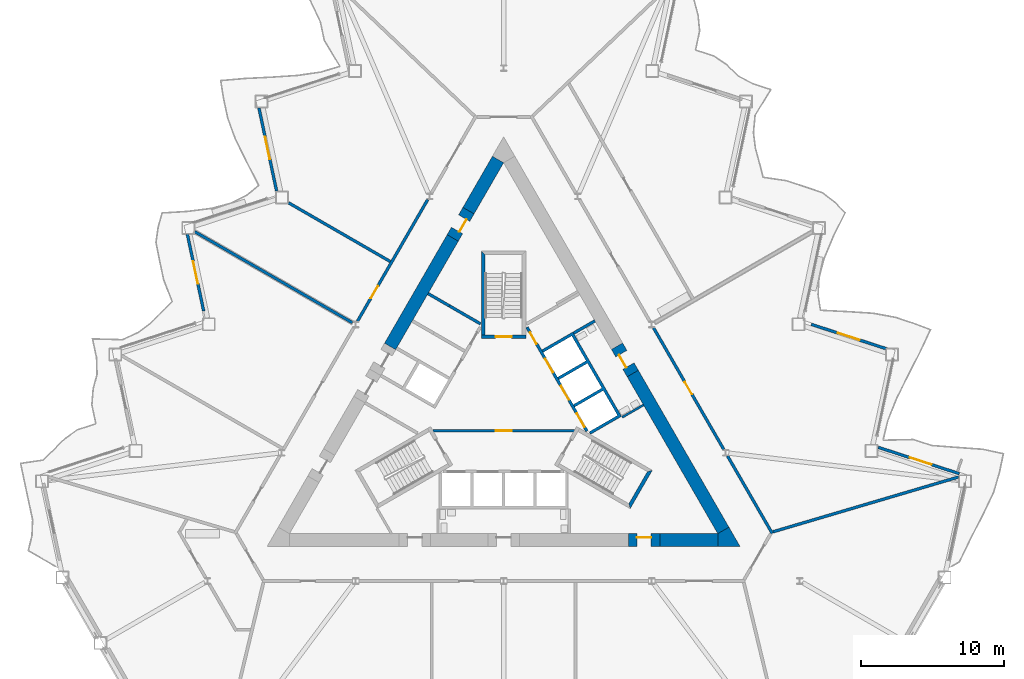
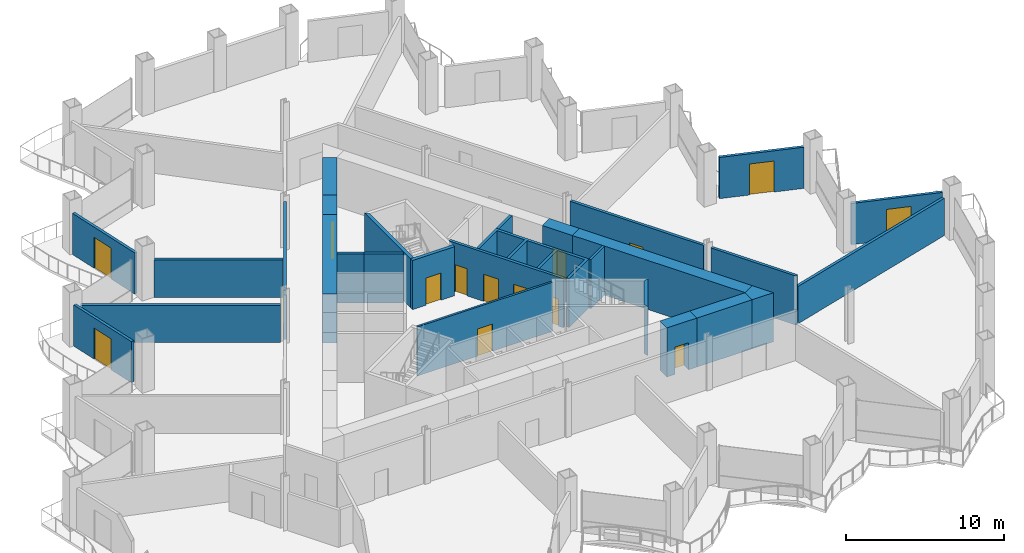
# One storey, part 12 of 21: 28 walls, 15 doors, 15 openings.
"""IFC4 building model written with IfcOpenShell, lengths in metres."""

from ifc_helpers import new_model, si_unit, direction, frame, frame_2d, origin, place, context, subcontext, project, spatial, polyline, rectangle, outline, extrude, material, layer, layer_set, type_object, element, fill, save


model = new_model("IFC4")

# Units and contexts
model_context = context("Model", 3, precision=1e-05, world=origin(), true_north=direction((0.0, 1.0)))
body_context = subcontext(model_context, "Body", "Model", "MODEL_VIEW")
ifc_project = project(units=[si_unit("LENGTHUNIT", "METRE"), si_unit("AREAUNIT", "SQUARE_METRE"), si_unit("VOLUMEUNIT", "CUBIC_METRE"), si_unit("PLANEANGLEUNIT", "RADIAN"), si_unit("MASSUNIT", "GRAM", prefix="KILO")], contexts=[model_context])

# Site, building, storey
site_placement = place(None, origin())
site = spatial("IfcSite", under=ifc_project, at=site_placement, CompositionType="ELEMENT")
building_placement = place(site_placement, origin())
building = spatial("IfcBuilding", under=site, at=building_placement, Name="Cormorant Prow Tower", CompositionType="ELEMENT")
storey_placement = place(building_placement, frame((0.0, 0.0, 120.60009765625)))
storey = spatial("IfcBuildingStorey", under=building, at=storey_placement, Name="L25", CompositionType="ELEMENT", Elevation=120.60009765625)

# Wall, opening, door
ifc_material_1 = material(Name="Gypsum board partition")
ifc_layer_1 = layer(ifc_material_1, 0.14990234375)
ifc_layer_set_1 = layer_set([ifc_layer_1], Name="Gypsum board partition")
wall_type_1 = type_object("IfcWallType", Name="Core partition 150", PredefinedType="PARTITIONING", material=ifc_layer_set_1)
wall_1_placement = place(storey_placement, frame((-4.941162109375, -1.449951171875, 0.0), z_axis=(0.0, 0.0, 1.0), x_axis=(1.0, 0.0, 0.0)))
wall_1 = element("IfcWall", 1, at=wall_1_placement, inside=storey, type_object=wall_type_1, Name="Firefighting lobby partition", PredefinedType="PARTITIONING", context=body_context, shape_type="SweptSolid", body=[
    extrude(rectangle(XDim=9.88232421875, YDim=0.14990234375, at=frame_2d((4.941162109375, 0.0))), origin(), (0.0, 0.0, 1.0), 3.7998046875),
])
opening_1_placement = place(wall_1_placement, frame((4.39111328125, 0.0, 0.0)))
opening_1 = element("IfcOpeningElement", 2, at=opening_1_placement, cuts=wall_1, Name="Opening L25-C11", PredefinedType="OPENING", context=body_context, shape_type="SweptSolid", body=[
    extrude(rectangle(XDim=1.10009765625, YDim=2.10009765625, at=frame_2d((0.550048828125, 1.050048828125))), frame((0.0, 0.0849609375, 0.0), z_axis=(0.0, -1.0, 0.0), x_axis=(1.0, 0.0, 0.0)), (0.0, 0.0, 1.0), 0.169921875),
])
ifc_material_2 = material(Name="Painted steel", Category="steel")
door_type_1 = type_object("IfcDoorType", Name="Firefighting lobby door 1100x2100", OperationType="NOTDEFINED", PredefinedType="DOOR", material=ifc_material_2)
door_1_placement = place(opening_1_placement, origin())
door_1 = element("IfcDoor", 3, at=door_1_placement, inside=storey, type_object=door_type_1, Name="Firefighting lobby door", OperationType="SINGLE_SWING_LEFT", OverallHeight=2.10009765625, OverallWidth=1.10009765625, PredefinedType="DOOR", context=body_context, shape_type="SweptSolid", body=[
    extrude(rectangle(XDim=1.10009765625, YDim=2.10009765625, at=frame_2d((0.550048828125, 1.050048828125))), frame((0.0, 0.02490234375, 0.0), z_axis=(0.0, -1.0, 0.0), x_axis=(1.0, 0.0, 0.0)), (0.0, 0.0, 1.0), 0.050048828125),
])
fill(opening_1, door_1)

# Walls
wall_2_placement = place(storey_placement, frame((8.268310546875, -0.509033203125, 0.0), z_axis=(0.0, 0.0, 1.0), x_axis=(0.866024871741, 0.500000921525, 0.0)))
element("IfcWall", 4, at=wall_2_placement, inside=storey, type_object=wall_type_1, Name="Service room partition", PredefinedType="PARTITIONING", context=body_context, shape_type="SweptSolid", body=[
    extrude(rectangle(XDim=1.72021484375, YDim=0.14990234375, at=frame_2d((0.860107421875, 0.0))), origin(), (0.0, 0.0, 1.0), 3.7998046875),
])
ifc_material_3 = material(Name="Concrete 8000 psi", Category="concrete")
ifc_layer_2 = layer(ifc_material_3, 0.89990234375)
ifc_layer_set_2 = layer_set([ifc_layer_2], Name="Concrete 8000 psi")
wall_type_2 = type_object("IfcWallType", Name="Core shear wall 900", PredefinedType="SHEAR", material=ifc_layer_set_2)
wall_3_placement = place(storey_placement, frame((10.8955078125, -9.076416015625, 0.0), z_axis=(0.0, 0.0, 1.0), x_axis=(1.0, 0.0, 0.0)))
element("IfcWall", 5, at=wall_3_placement, inside=storey, type_object=wall_type_2, Name="Core wall", PredefinedType="SHEAR", context=body_context, shape_type="SweptSolid", body=[
    extrude(rectangle(XDim=4.045654296875, YDim=0.89990234375, at=frame_2d((2.02294921875, 0.0))), origin(), (0.0, 0.0, 1.0), 3.7998046875),
])
wall_4_placement = place(storey_placement, frame((15.330810546875, -8.4013671875, 0.0), z_axis=(0.0, 0.0, 1.0), x_axis=(-0.49999216708, 0.866029926076, 0.0)))
element("IfcWall", 6, at=wall_4_placement, inside=storey, type_object=wall_type_2, Name="Core wall", PredefinedType="SHEAR", context=body_context, shape_type="SweptSolid", body=[
    extrude(rectangle(XDim=12.641357421875, YDim=0.89990234375, at=frame_2d((6.32080078125, 0.0))), origin(), (0.0, 0.0, 1.0), 3.7998046875),
])
wall_5_placement = place(storey_placement, frame((-3.550048828125, 12.00390625, 0.0), z_axis=(0.0, 0.0, 1.0), x_axis=(-0.499993245289, -0.866029303583, 0.0)))
element("IfcWall", 7, at=wall_5_placement, inside=storey, type_object=wall_type_2, Name="Core wall", PredefinedType="SHEAR", context=body_context, shape_type="SweptSolid", body=[
    extrude(rectangle(XDim=8.74072265625, YDim=0.89990234375, at=frame_2d((4.370361328125, 0.0))), origin(), (0.0, 0.0, 1.0), 3.7998046875),
])
wall_6_placement = place(storey_placement, frame((-0.3896484375, 17.4775390625, 0.0), z_axis=(0.0, 0.0, 1.0), x_axis=(-0.50001992892, -0.866013897511, 0.0)))
element("IfcWall", 8, at=wall_6_placement, inside=storey, type_object=wall_type_2, Name="Core wall", PredefinedType="SHEAR", context=body_context, shape_type="SweptSolid", body=[
    extrude(rectangle(XDim=4.120361328125, YDim=0.89990234375, at=frame_2d((2.06005859375, 0.0))), origin(), (0.0, 0.0, 1.0), 3.7998046875),
])
wall_7_placement = place(storey_placement, origin())
element("IfcWall", 9, at=wall_7_placement, inside=storey, type_object=wall_type_2, Name="Core wall corner", PredefinedType="SHEAR", context=body_context, shape_type="SweptSolid", body=[
    extrude(outline(polyline([(14.941162109375, -8.626220703125), (15.720703125, -8.17626953125), (16.5, -9.5263671875), (14.941162109375, -9.5263671875), (14.941162109375, -8.626220703125)])), origin(), (0.0, 0.0, 1.0), 3.7998046875),
])

# Wall, opening, door
wall_8_placement = place(storey_placement, frame((8.695556640625, -9.076416015625, 0.0), z_axis=(0.0, 0.0, 1.0), x_axis=(1.0, 0.0, 0.0)))
wall_8 = element("IfcWall", 10, at=wall_8_placement, inside=storey, type_object=wall_type_2, Name="Core wall door panel", PredefinedType="SHEAR", context=body_context, shape_type="SweptSolid", body=[
    extrude(rectangle(XDim=2.199951171875, YDim=0.89990234375, at=frame_2d((1.10009765625, 0.0))), origin(), (0.0, 0.0, 1.0), 3.7998046875),
])
opening_2_placement = place(wall_8_placement, frame((0.60009765625, 0.0, 0.0)))
opening_2 = element("IfcOpeningElement", 11, at=opening_2_placement, cuts=wall_8, Name="Opening L25-C16", PredefinedType="OPENING", context=body_context, shape_type="SweptSolid", body=[
    extrude(rectangle(XDim=1.0, YDim=2.10009765625, at=frame_2d((0.5, 1.050048828125))), frame((0.0, 0.4599609375, 0.0), z_axis=(0.0, -1.0, 0.0), x_axis=(1.0, 0.0, 0.0)), (0.0, 0.0, 1.0), 0.919921875),
])
ifc_material_4 = material(Name="Painted steel", Category="steel")
door_type_2 = type_object("IfcDoorType", Name="Service door 1000x2100", OperationType="NOTDEFINED", PredefinedType="DOOR", material=ifc_material_4)
door_2_placement = place(opening_2_placement, origin())
door_2 = element("IfcDoor", 12, at=door_2_placement, inside=storey, type_object=door_type_2, Name="Core door, Telecom room", OperationType="SINGLE_SWING_RIGHT", OverallHeight=2.10009765625, OverallWidth=1.0, PredefinedType="DOOR", context=body_context, shape_type="SweptSolid", body=[
    extrude(rectangle(XDim=1.0, YDim=2.10009765625, at=frame_2d((0.5, 1.050048828125))), frame((0.0, 0.205078125, 0.0), z_axis=(0.0, -1.0, 0.0), x_axis=(1.0, 0.0, 0.0)), (0.0, 0.0, 1.0), 0.050048828125),
])
fill(opening_2, door_2)

wall_9_placement = place(storey_placement, frame((9.01025390625, 2.54638671875, 0.0), z_axis=(0.0, 0.0, 1.0), x_axis=(-0.499994660107, 0.866028486751, 0.0)))
wall_9 = element("IfcWall", 13, at=wall_9_placement, inside=storey, type_object=wall_type_2, Name="Core wall door panel", PredefinedType="SHEAR", context=body_context, shape_type="SweptSolid", body=[
    extrude(rectangle(XDim=2.19970703125, YDim=0.89990234375, at=frame_2d((1.099853515625, 0.0))), origin(), (0.0, 0.0, 1.0), 3.7998046875),
])
opening_3_placement = place(wall_9_placement, frame((0.60009765625, 0.0, 0.0)))
opening_3 = element("IfcOpeningElement", 14, at=opening_3_placement, cuts=wall_9, Name="Opening L25-C18", PredefinedType="OPENING", context=body_context, shape_type="SweptSolid", body=[
    extrude(rectangle(XDim=1.0, YDim=2.10009765625, at=frame_2d((0.5, 1.050048828125))), frame((0.0, 0.4599609375, 0.0), z_axis=(0.0, -1.0, 0.0), x_axis=(1.0, 0.0, 0.0)), (0.0, 0.0, 1.0), 0.919921875),
])
door_3_placement = place(opening_3_placement, origin())
door_3 = element("IfcDoor", 15, at=door_3_placement, inside=storey, type_object=door_type_2, Name="Core door, Toilets (men) L25", OperationType="SINGLE_SWING_LEFT", OverallHeight=2.10009765625, OverallWidth=1.0, PredefinedType="DOOR", context=body_context, shape_type="SweptSolid", body=[
    extrude(rectangle(XDim=1.0, YDim=2.10009765625, at=frame_2d((0.5, 1.050048828125))), frame((0.0, 0.205078125, 0.0), z_axis=(0.0, -1.0, 0.0), x_axis=(1.0, 0.0, 0.0)), (0.0, 0.0, 1.0), 0.050048828125),
])
fill(opening_3, door_3)

wall_10_placement = place(storey_placement, frame((-2.449951171875, 13.9091796875, 0.0), z_axis=(0.0, 0.0, 1.0), x_axis=(-0.50002983664, -0.866008176907, 0.0)))
wall_10 = element("IfcWall", 16, at=wall_10_placement, inside=storey, type_object=wall_type_2, Name="Core wall door panel", PredefinedType="SHEAR", context=body_context, shape_type="SweptSolid", body=[
    extrude(rectangle(XDim=2.199951171875, YDim=0.89990234375, at=frame_2d((1.10009765625, 0.0))), origin(), (0.0, 0.0, 1.0), 3.7998046875),
])
opening_4_placement = place(wall_10_placement, frame((0.60009765625, 0.0, 0.0)))
opening_4 = element("IfcOpeningElement", 17, at=opening_4_placement, cuts=wall_10, Name="Opening L25-C20", PredefinedType="OPENING", context=body_context, shape_type="SweptSolid", body=[
    extrude(rectangle(XDim=1.0, YDim=2.10009765625, at=frame_2d((0.5, 1.050048828125))), frame((0.0, 0.4599609375, 0.0), z_axis=(0.0, -1.0, 0.0), x_axis=(1.0, 0.0, 0.0)), (0.0, 0.0, 1.0), 0.919921875),
])
door_4_placement = place(opening_4_placement, origin())
door_4 = element("IfcDoor", 18, at=door_4_placement, inside=storey, type_object=door_type_2, Name="Core door, Telecom room", OperationType="SINGLE_SWING_RIGHT", OverallHeight=2.10009765625, OverallWidth=1.0, PredefinedType="DOOR", context=body_context, shape_type="SweptSolid", body=[
    extrude(rectangle(XDim=1.0, YDim=2.10009765625, at=frame_2d((0.5, 1.050048828125))), frame((0.0, 0.205078125, 0.0), z_axis=(0.0, -1.0, 0.0), x_axis=(1.0, 0.0, 0.0)), (0.0, 0.0, 1.0), 0.050048828125),
])
fill(opening_4, door_4)

ifc_material_5 = material(Name="Gypsum board corridor wall")
ifc_layer_3 = layer(ifc_material_5, 0.199951171875)
ifc_layer_set_3 = layer_set([ifc_layer_3], Name="Gypsum board corridor wall")
wall_type_3 = type_object("IfcWallType", Name="Corridor wall 200", PredefinedType="PARTITIONING", material=ifc_layer_set_3)
wall_11_placement = place(storey_placement, frame((10.459716796875, 5.735595703125, 0.0), z_axis=(0.0, 0.0, 1.0), x_axis=(0.500004141693, -0.866023012564, 0.0)))
wall_11 = element("IfcWall", 19, at=wall_11_placement, inside=storey, type_object=wall_type_3, Name="Corridor wall", PredefinedType="PARTITIONING", context=body_context, shape_type="SweptSolid", body=[
    extrude(rectangle(XDim=9.80322265625, YDim=0.199951171875, at=frame_2d((4.901611328125, 0.0))), origin(), (0.0, 0.0, 1.0), 3.7998046875),
])
opening_5_placement = place(wall_11_placement, frame((4.3515625, 0.0, 0.0)))
opening_5 = element("IfcOpeningElement", 20, at=opening_5_placement, cuts=wall_11, Name="Opening L25-F05", PredefinedType="OPENING", context=body_context, shape_type="SweptSolid", body=[
    extrude(rectangle(XDim=1.0, YDim=2.10009765625, at=frame_2d((0.5, 1.050048828125))), frame((0.0, 0.10986328125, 0.0), z_axis=(0.0, -1.0, 0.0), x_axis=(1.0, 0.0, 0.0)), (0.0, 0.0, 1.0), 0.219970703125),
])
ifc_material_6 = material(Name="Timber door leaf", Category="wood")
door_type_3 = type_object("IfcDoorType", Name="Office door 1000x2100", OperationType="NOTDEFINED", PredefinedType="DOOR", material=ifc_material_6)
door_5_placement = place(opening_5_placement, origin())
door_5 = element("IfcDoor", 21, at=door_5_placement, inside=storey, type_object=door_type_3, Name="Tenant suite door", OperationType="SINGLE_SWING_LEFT", OverallHeight=2.10009765625, OverallWidth=1.0, PredefinedType="DOOR", context=body_context, shape_type="SweptSolid", body=[
    extrude(rectangle(XDim=1.0, YDim=2.10009765625, at=frame_2d((0.5, 1.050048828125))), frame((0.0, 0.02490234375, 0.0), z_axis=(0.0, -1.0, 0.0), x_axis=(1.0, 0.0, 0.0)), (0.0, 0.0, 1.0), 0.050048828125),
])
fill(opening_5, door_5)

wall_12_placement = place(storey_placement, frame((-10.197265625, 6.1904296875, 0.0), z_axis=(0.0, 0.0, 1.0), x_axis=(0.500012035596, 0.866018454918, 0.0)))
wall_12 = element("IfcWall", 22, at=wall_12_placement, inside=storey, type_object=wall_type_3, Name="Corridor wall", PredefinedType="PARTITIONING", context=body_context, shape_type="SweptSolid", body=[
    extrude(rectangle(XDim=9.803466796875, YDim=0.199951171875, at=frame_2d((4.90185546875, 0.0))), origin(), (0.0, 0.0, 1.0), 3.7998046875),
])
opening_6_placement = place(wall_12_placement, frame((1.8505859375, 0.0, 0.0)))
opening_6 = element("IfcOpeningElement", 23, at=opening_6_placement, cuts=wall_12, Name="Opening L25-F10", PredefinedType="OPENING", context=body_context, shape_type="SweptSolid", body=[
    extrude(rectangle(XDim=1.0, YDim=2.10009765625, at=frame_2d((0.5, 1.050048828125))), frame((0.0, 0.10986328125, 0.0), z_axis=(0.0, -1.0, 0.0), x_axis=(1.0, 0.0, 0.0)), (0.0, 0.0, 1.0), 0.219970703125),
])
door_6_placement = place(opening_6_placement, origin())
door_6 = element("IfcDoor", 24, at=door_6_placement, inside=storey, type_object=door_type_3, Name="Meeting room door", OperationType="SINGLE_SWING_RIGHT", OverallHeight=2.10009765625, OverallWidth=1.0, PredefinedType="DOOR", context=body_context, shape_type="SweptSolid", body=[
    extrude(rectangle(XDim=1.0, YDim=2.10009765625, at=frame_2d((0.5, 1.050048828125))), frame((0.0, 0.02490234375, 0.0), z_axis=(0.0, -1.0, 0.0), x_axis=(1.0, 0.0, 0.0)), (0.0, 0.0, 1.0), 0.050048828125),
])
fill(opening_6, door_6)

# Walls
wall_13_placement = place(storey_placement, frame((15.6240234375, -3.208984375, 0.0), z_axis=(0.0, 0.0, 1.0), x_axis=(0.499997920671, -0.866026604282, 0.0)))
element("IfcWall", 25, at=wall_13_placement, inside=storey, type_object=wall_type_3, Name="Corridor wall", PredefinedType="PARTITIONING", context=body_context, shape_type="SweptSolid", body=[
    extrude(rectangle(XDim=6.23974609375, YDim=0.199951171875, at=frame_2d((3.119873046875, 0.0))), origin(), (0.0, 0.0, 1.0), 3.7998046875),
])
ifc_material_7 = material(Name="Gypsum board demising wall")
ifc_layer_4 = layer(ifc_material_7, 0.199951171875)
ifc_layer_set_4 = layer_set([ifc_layer_4], Name="Gypsum board demising wall")
wall_type_4 = type_object("IfcWallType", Name="Demising wall 200", PredefinedType="PARTITIONING", material=ifc_layer_set_4)
wall_14_placement = place(storey_placement, frame((18.789794921875, -8.497802734375, 0.0), z_axis=(0.0, 0.0, 1.0), x_axis=(0.959053889024, 0.283223653581, 0.0)))
element("IfcWall", 26, at=wall_14_placement, inside=storey, type_object=wall_type_4, Name="Demising wall", PredefinedType="PARTITIONING", context=body_context, shape_type="SweptSolid", body=[
    extrude(rectangle(XDim=13.4990234375, YDim=0.199951171875, at=frame_2d((6.74951171875, 0.0))), origin(), (0.0, 0.0, 1.0), 2.88525390625),
])
wall_15_placement = place(storey_placement, frame((-21.536376953125, 12.43408203125, 0.0), z_axis=(0.0, 0.0, 1.0), x_axis=(0.86602461759, -0.500001361726, 0.0)))
element("IfcWall", 27, at=wall_15_placement, inside=storey, type_object=wall_type_4, Name="Demising wall", PredefinedType="PARTITIONING", context=body_context, shape_type="SweptSolid", body=[
    extrude(rectangle(XDim=12.67919921875, YDim=0.199951171875, at=frame_2d((6.339599609375, 0.0))), origin(), (0.0, 0.0, 1.0), 2.88525390625),
])
wall_16_placement = place(storey_placement, frame((-15.009521484375, 14.460205078125, 0.0), z_axis=(0.0, 0.0, 1.0), x_axis=(0.86602003489, -0.500009299083, 0.0)))
element("IfcWall", 28, at=wall_16_placement, inside=storey, type_object=wall_type_4, Name="Demising wall", PredefinedType="PARTITIONING", context=body_context, shape_type="SweptSolid", body=[
    extrude(rectangle(XDim=8.202392578125, YDim=0.199951171875, at=frame_2d((4.10107421875, 0.0))), origin(), (0.0, 0.0, 1.0), 2.88525390625),
])

# Wall, openings, doors
ifc_material_8 = material(Name="Concrete 5000 psi", Category="concrete")
ifc_layer_5 = layer(ifc_material_8, 0.199951171875)
ifc_layer_set_5 = layer_set([ifc_layer_5], Name="Concrete 5000 psi")
wall_type_5 = type_object("IfcWallType", Name="Lift lobby wall 200", PredefinedType="SOLIDWALL", material=ifc_layer_set_5)
wall_17_placement = place(storey_placement, frame((5.817138671875, -1.4755859375, 0.0), z_axis=(0.0, 0.0, 1.0), x_axis=(-0.500002616675, 0.866023893041, 0.0)))
wall_17 = element("IfcWall", 29, at=wall_17_placement, inside=storey, type_object=wall_type_5, Name="Lift lobby wall, ENE block", PredefinedType="SOLIDWALL", context=body_context, shape_type="SweptSolid", body=[
    extrude(rectangle(XDim=8.373046875, YDim=0.199951171875, at=frame_2d((4.1865234375, 0.0))), origin(), (0.0, 0.0, 1.0), 3.7998046875),
])
opening_7_placement = place(wall_17_placement, frame((0.336669921875, 0.0, 0.0)))
opening_7 = element("IfcOpeningElement", 30, at=opening_7_placement, cuts=wall_17, Name="Opening L25-C05", PredefinedType="OPENING", context=body_context, shape_type="SweptSolid", body=[
    extrude(rectangle(XDim=1.10009765625, YDim=2.10009765625, at=frame_2d((0.550048828125, 1.050048828125))), frame((0.0, 0.10986328125, 0.0), z_axis=(0.0, -1.0, 0.0), x_axis=(1.0, 0.0, 0.0)), (0.0, 0.0, 1.0), 0.219970703125),
])
opening_8_placement = place(wall_17_placement, frame((2.53662109375, 0.0, 0.0)))
opening_8 = element("IfcOpeningElement", 31, at=opening_8_placement, cuts=wall_17, Name="Opening L25-C06", PredefinedType="OPENING", context=body_context, shape_type="SweptSolid", body=[
    extrude(rectangle(XDim=1.10009765625, YDim=2.10009765625, at=frame_2d((0.550048828125, 1.050048828125))), frame((0.0, 0.10986328125, 0.0), z_axis=(0.0, -1.0, 0.0), x_axis=(1.0, 0.0, 0.0)), (0.0, 0.0, 1.0), 0.219970703125),
])
opening_9_placement = place(wall_17_placement, frame((4.736572265625, 0.0, 0.0)))
opening_9 = element("IfcOpeningElement", 32, at=opening_9_placement, cuts=wall_17, Name="Opening L25-C07", PredefinedType="OPENING", context=body_context, shape_type="SweptSolid", body=[
    extrude(rectangle(XDim=1.10009765625, YDim=2.10009765625, at=frame_2d((0.550048828125, 1.050048828125))), frame((0.0, 0.10986328125, 0.0), z_axis=(0.0, -1.0, 0.0), x_axis=(1.0, 0.0, 0.0)), (0.0, 0.0, 1.0), 0.219970703125),
])
opening_10_placement = place(wall_17_placement, frame((7.03662109375, 0.0, 0.0)))
opening_10 = element("IfcOpeningElement", 33, at=opening_10_placement, cuts=wall_17, Name="Opening L25-C08", PredefinedType="OPENING", context=body_context, shape_type="SweptSolid", body=[
    extrude(rectangle(XDim=0.89990234375, YDim=2.10009765625, at=frame_2d((0.449951171875, 1.050048828125))), frame((0.0, 0.10986328125, 0.0), z_axis=(0.0, -1.0, 0.0), x_axis=(1.0, 0.0, 0.0)), (0.0, 0.0, 1.0), 0.219970703125),
])
ifc_material_9 = material(Name="Painted steel", Category="steel")
door_type_4 = type_object("IfcDoorType", Name="Lift landing door 1100x2100", OperationType="SLIDING_TO_LEFT", PredefinedType="DOOR", material=ifc_material_9)
door_7_placement = place(opening_7_placement, origin())
door_7 = element("IfcDoor", 34, at=door_7_placement, inside=storey, type_object=door_type_4, Name="Landing door LR2", OperationType="SLIDING_TO_LEFT", OverallHeight=2.10009765625, OverallWidth=1.10009765625, PredefinedType="DOOR", context=body_context, shape_type="SweptSolid", body=[
    extrude(rectangle(XDim=1.10009765625, YDim=2.10009765625, at=frame_2d((0.550048828125, 1.050048828125))), frame((0.0, 0.02490234375, 0.0), z_axis=(0.0, -1.0, 0.0), x_axis=(1.0, 0.0, 0.0)), (0.0, 0.0, 1.0), 0.050048828125),
])
fill(opening_7, door_7)
door_8_placement = place(opening_8_placement, origin())
door_8 = element("IfcDoor", 35, at=door_8_placement, inside=storey, type_object=door_type_4, Name="Landing door LR3", OperationType="SLIDING_TO_LEFT", OverallHeight=2.10009765625, OverallWidth=1.10009765625, PredefinedType="DOOR", context=body_context, shape_type="SweptSolid", body=[
    extrude(rectangle(XDim=1.10009765625, YDim=2.10009765625, at=frame_2d((0.550048828125, 1.050048828125))), frame((0.0, 0.02490234375, 0.0), z_axis=(0.0, -1.0, 0.0), x_axis=(1.0, 0.0, 0.0)), (0.0, 0.0, 1.0), 0.050048828125),
])
fill(opening_8, door_8)
door_9_placement = place(opening_9_placement, origin())
door_9 = element("IfcDoor", 36, at=door_9_placement, inside=storey, type_object=door_type_4, Name="Landing door LR4", OperationType="SLIDING_TO_LEFT", OverallHeight=2.10009765625, OverallWidth=1.10009765625, PredefinedType="DOOR", context=body_context, shape_type="SweptSolid", body=[
    extrude(rectangle(XDim=1.10009765625, YDim=2.10009765625, at=frame_2d((0.550048828125, 1.050048828125))), frame((0.0, 0.02490234375, 0.0), z_axis=(0.0, -1.0, 0.0), x_axis=(1.0, 0.0, 0.0)), (0.0, 0.0, 1.0), 0.050048828125),
])
fill(opening_9, door_9)
ifc_material_10 = material(Name="Painted steel", Category="steel")
door_type_5 = type_object("IfcDoorType", Name="Service door 900x2100", OperationType="NOTDEFINED", PredefinedType="DOOR", material=ifc_material_10)
door_10_placement = place(opening_10_placement, origin())
door_10 = element("IfcDoor", 37, at=door_10_placement, inside=storey, type_object=door_type_5, Name="Service door, Refuse store", OperationType="SINGLE_SWING_RIGHT", OverallHeight=2.10009765625, OverallWidth=0.89990234375, PredefinedType="DOOR", context=body_context, shape_type="SweptSolid", body=[
    extrude(rectangle(XDim=0.89990234375, YDim=2.10009765625, at=frame_2d((0.449951171875, 1.050048828125))), frame((0.0, 0.02490234375, 0.0), z_axis=(0.0, -1.0, 0.0), x_axis=(1.0, 0.0, 0.0)), (0.0, 0.0, 1.0), 0.050048828125),
])
fill(opening_10, door_10)

# Walls
ifc_material_11 = material(Name="Concrete 8000 psi", Category="concrete")
ifc_layer_6 = layer(ifc_material_11, 0.199951171875)
ifc_layer_set_6 = layer_set([ifc_layer_6], Name="Concrete 8000 psi")
wall_type_6 = type_object("IfcWallType", Name="Lift shaft wall 200", PredefinedType="SHEAR", material=ifc_layer_set_6)
wall_18_placement = place(storey_placement, origin())
element("IfcWall", 38, at=wall_18_placement, inside=storey, type_object=wall_type_6, Name="Lift shaft walls, ENE block", PredefinedType="SHEAR", context=body_context, shape_type="SweptSolid", body=[
    extrude(outline(polyline([(2.660400390625, 4.19189453125), (4.830810546875, 5.44482421875), (8.230712890625, -0.444091796875), (6.060546875, -1.697021484375), (5.96044921875, -1.52392578125), (7.952392578125, -0.373779296875), (6.952392578125, 1.358154296875), (4.96044921875, 0.2080078125), (4.860595703125, 0.38134765625), (6.852294921875, 1.53125), (5.852294921875, 3.263427734375), (3.860595703125, 2.11328125), (3.760498046875, 2.28662109375), (5.75244140625, 3.4365234375), (4.75244140625, 5.168701171875), (2.760498046875, 4.018798828125), (2.660400390625, 4.19189453125)])), origin(), (0.0, 0.0, 1.0), 3.7998046875),
])
wall_19_placement = place(storey_placement, frame((4.880859375, 5.3583984375, 0.0), z_axis=(0.0, 0.0, 1.0), x_axis=(0.866024871741, 0.500000921525, 0.0)))
element("IfcWall", 39, at=wall_19_placement, inside=storey, type_object=wall_type_6, Name="Store side wall", PredefinedType="SHEAR", context=body_context, shape_type="SweptSolid", body=[
    extrude(rectangle(XDim=1.72021484375, YDim=0.199951171875, at=frame_2d((0.860107421875, 0.0))), origin(), (0.0, 0.0, 1.0), 3.7998046875),
])
wall_20_placement = place(storey_placement, origin())
element("IfcWall", 40, at=wall_20_placement, inside=storey, type_object=wall_type_6, Name="Lift shaft walls, WNW block", PredefinedType="SHEAR", context=body_context, shape_type="SweptSolid", body=[
    extrude(outline(polyline([(-3.730712890625, 7.35009765625), (-1.560546875, 6.09716796875), (-1.660400390625, 5.923828125), (-3.830810546875, 7.177001953125), (-3.730712890625, 7.35009765625)])), origin(), (0.0, 0.0, 1.0), 3.7998046875),
])
wall_21_placement = place(storey_placement, frame((-3.78076171875, 7.263427734375, 0.0), z_axis=(0.0, 0.0, 1.0), x_axis=(-0.865963414263, 0.500107353632, 0.0)))
element("IfcWall", 41, at=wall_21_placement, inside=storey, type_object=wall_type_6, Name="Store side wall", PredefinedType="SHEAR", context=body_context, shape_type="SweptSolid", body=[
    extrude(rectangle(XDim=1.72021484375, YDim=0.199951171875, at=frame_2d((0.860107421875, 0.0))), origin(), (0.0, 0.0, 1.0), 3.7998046875),
])
ifc_material_12 = material(Name="Concrete 8000 psi", Category="concrete")
ifc_layer_7 = layer(ifc_material_12, 0.25)
ifc_layer_set_7 = layer_set([ifc_layer_7], Name="Concrete 8000 psi")
wall_type_7 = type_object("IfcWallType", Name="Stair wall 250", PredefinedType="SHEAR", material=ifc_layer_set_7)
wall_22_placement = place(storey_placement, origin())
element("IfcWall", 42, at=wall_22_placement, inside=storey, type_object=wall_type_7, Name="Stair ST2 enclosure wall (end)", PredefinedType="SHEAR", context=body_context, shape_type="SweptSolid", body=[
    extrude(outline(polyline([(8.82958984375, -6.880615234375), (10.37353515625, -4.206298828125), (10.031982421875, -4.2978515625), (8.738037109375, -6.5390625), (8.82958984375, -6.880615234375)])), origin(), (0.0, 0.0, 1.0), 3.7998046875),
])
wall_23_placement = place(storey_placement, origin())
element("IfcWall", 43, at=wall_23_placement, inside=storey, type_object=wall_type_7, Name="Stair ST3 enclosure wall (flank)", PredefinedType="SHEAR", context=body_context, shape_type="SweptSolid", body=[
    extrude(outline(polyline([(-1.2939453125, 10.8369140625), (-1.5439453125, 11.0869140625), (-1.5439453125, 5.23681640625), (-1.2939453125, 5.23681640625), (-1.2939453125, 10.8369140625)])), origin(), (0.0, 0.0, 1.0), 3.7998046875),
])

# Wall, opening, door
wall_24_placement = place(storey_placement, frame((1.5439453125, 5.11181640625, 0.0), z_axis=(0.0, 0.0, 1.0), x_axis=(-1.0, 0.0, 0.0)))
wall_24 = element("IfcWall", 44, at=wall_24_placement, inside=storey, type_object=wall_type_7, Name="Stair ST3 door wall", PredefinedType="SHEAR", context=body_context, shape_type="SweptSolid", body=[
    extrude(rectangle(XDim=3.087890625, YDim=0.25, at=frame_2d((1.5439453125, 0.0))), origin(), (0.0, 0.0, 1.0), 3.7998046875),
])
opening_11_placement = place(wall_24_placement, frame((0.993896484375, 0.0, 0.0)))
opening_11 = element("IfcOpeningElement", 45, at=opening_11_placement, cuts=wall_24, Name="Opening L25-C14", PredefinedType="OPENING", context=body_context, shape_type="SweptSolid", body=[
    extrude(rectangle(XDim=1.10009765625, YDim=2.10009765625, at=frame_2d((0.550048828125, 1.050048828125))), frame((0.0, 0.135009765625, 0.0), z_axis=(0.0, -1.0, 0.0), x_axis=(1.0, 0.0, 0.0)), (0.0, 0.0, 1.0), 0.27001953125),
])
ifc_material_13 = material(Name="Painted steel", Category="steel")
door_type_6 = type_object("IfcDoorType", Name="Stair door 1100x2100", OperationType="NOTDEFINED", PredefinedType="DOOR", material=ifc_material_13)
door_11_placement = place(opening_11_placement, origin())
door_11 = element("IfcDoor", 46, at=door_11_placement, inside=storey, type_object=door_type_6, Name="Stair ST3 door", OperationType="SINGLE_SWING_RIGHT", OverallHeight=2.10009765625, OverallWidth=1.10009765625, PredefinedType="DOOR", context=body_context, shape_type="SweptSolid", body=[
    extrude(rectangle(XDim=1.10009765625, YDim=2.10009765625, at=frame_2d((0.550048828125, 1.050048828125))), frame((0.0, 0.02490234375, 0.0), z_axis=(0.0, -1.0, 0.0), x_axis=(1.0, 0.0, 0.0)), (0.0, 0.0, 1.0), 0.050048828125),
])
fill(opening_11, door_11)

ifc_material_14 = material(Name="Terracotta", Category="masonry")
ifc_layer_8 = layer(ifc_material_14, 0.199951171875)
ifc_layer_set_8 = layer_set([ifc_layer_8], Name="Terracotta")
wall_type_8 = type_object("IfcWallType", Name="Terracotta jamb wall 200", PredefinedType="SOLIDWALL", material=ifc_layer_set_8)
wall_25_placement = place(storey_placement, frame((31.79150390625, -4.441162109375, 0.0), z_axis=(0.0, 0.0, 1.0), x_axis=(-0.951057028782, 0.309015417099, 0.0)))
wall_25 = element("IfcWall", 47, at=wall_25_placement, inside=storey, type_object=wall_type_8, Name="Terracotta jamb wall ENE01", PredefinedType="SOLIDWALL", context=body_context, shape_type="SweptSolid", body=[
    extrude(rectangle(XDim=5.93798828125, YDim=0.199951171875, at=frame_2d((2.968994140625, 0.0))), origin(), (0.0, 0.0, 1.0), 3.188720703125),
])
opening_12_placement = place(wall_25_placement, frame((2.041748046875, 0.0, 0.0)))
opening_12 = element("IfcOpeningElement", 48, at=opening_12_placement, cuts=wall_25, Name="Opening ED25.06", PredefinedType="OPENING", context=body_context, shape_type="SweptSolid", body=[
    extrude(rectangle(XDim=1.60009765625, YDim=2.39990234375, at=frame_2d((0.800048828125, 1.199951171875))), frame((0.0, 0.10986328125, 0.0), z_axis=(0.0, -1.0, 0.0), x_axis=(1.0, 0.0, 0.0)), (0.0, 0.0, 1.0), 0.219970703125),
])
ifc_material_15 = material(Name="Aluminium 6063-T6", Category="aluminium")
door_type_7 = type_object("IfcDoorType", Name="Balcony door 1600x2400", OperationType="DOUBLE_DOOR_SINGLE_SWING", PredefinedType="DOOR", material=ifc_material_15)
door_12_placement = place(opening_12_placement, origin())
door_12 = element("IfcDoor", 49, at=door_12_placement, inside=storey, type_object=door_type_7, Name="Balcony door ENE01 ED25.06", OperationType="DOUBLE_DOOR_SINGLE_SWING", OverallHeight=2.39990234375, OverallWidth=1.60009765625, PredefinedType="DOOR", context=body_context, shape_type="SweptSolid", body=[
    extrude(rectangle(XDim=1.60009765625, YDim=2.39990234375, at=frame_2d((0.800048828125, 1.199951171875))), frame((0.0, 0.02490234375, 0.0), z_axis=(0.0, -1.0, 0.0), x_axis=(1.0, 0.0, 0.0)), (0.0, 0.0, 1.0), 0.050048828125),
])
fill(opening_12, door_12)

wall_26_placement = place(storey_placement, frame((26.677001953125, 4.28173828125, 0.0), z_axis=(0.0, 0.0, 1.0), x_axis=(-0.951052727247, 0.309028655624, 0.0)))
wall_26 = element("IfcWall", 50, at=wall_26_placement, inside=storey, type_object=wall_type_8, Name="Terracotta jamb wall ENE03", PredefinedType="SOLIDWALL", context=body_context, shape_type="SweptSolid", body=[
    extrude(rectangle(XDim=5.48046875, YDim=0.199951171875, at=frame_2d((2.740234375, 0.0))), origin(), (0.0, 0.0, 1.0), 3.188720703125),
])
opening_13_placement = place(wall_26_placement, frame((1.940185546875, 0.0, 0.0)))
opening_13 = element("IfcOpeningElement", 51, at=opening_13_placement, cuts=wall_26, Name="Opening ED25.07", PredefinedType="OPENING", context=body_context, shape_type="SweptSolid", body=[
    extrude(rectangle(XDim=1.60009765625, YDim=2.39990234375, at=frame_2d((0.800048828125, 1.199951171875))), frame((0.0, 0.10986328125, 0.0), z_axis=(0.0, -1.0, 0.0), x_axis=(1.0, 0.0, 0.0)), (0.0, 0.0, 1.0), 0.219970703125),
])
door_13_placement = place(opening_13_placement, origin())
door_13 = element("IfcDoor", 52, at=door_13_placement, inside=storey, type_object=door_type_7, Name="Balcony door ENE03 ED25.07", OperationType="DOUBLE_DOOR_SINGLE_SWING", OverallHeight=2.39990234375, OverallWidth=1.60009765625, PredefinedType="DOOR", context=body_context, shape_type="SweptSolid", body=[
    extrude(rectangle(XDim=1.60009765625, YDim=2.39990234375, at=frame_2d((0.800048828125, 1.199951171875))), frame((0.0, 0.02490234375, 0.0), z_axis=(0.0, -1.0, 0.0), x_axis=(1.0, 0.0, 0.0)), (0.0, 0.0, 1.0), 0.050048828125),
])
fill(opening_13, door_13)

wall_27_placement = place(storey_placement, frame((-17.06884765625, 21.06640625, 0.0), z_axis=(0.0, 0.0, 1.0), x_axis=(0.207917562075, -0.978146352741, 0.0)))
wall_27 = element("IfcWall", 53, at=wall_27_placement, inside=storey, type_object=wall_type_8, Name="Terracotta jamb wall WNW03", PredefinedType="SOLIDWALL", context=body_context, shape_type="SweptSolid", body=[
    extrude(rectangle(XDim=5.90869140625, YDim=0.199951171875, at=frame_2d((2.954345703125, 0.0))), origin(), (0.0, 0.0, 1.0), 3.188720703125),
])
opening_14_placement = place(wall_27_placement, frame((2.046875, 0.0, 0.0)))
opening_14 = element("IfcOpeningElement", 54, at=opening_14_placement, cuts=wall_27, Name="Opening ED25.12", PredefinedType="OPENING", context=body_context, shape_type="SweptSolid", body=[
    extrude(rectangle(XDim=1.60009765625, YDim=2.39990234375, at=frame_2d((0.800048828125, 1.199951171875))), frame((0.0, 0.10986328125, 0.0), z_axis=(0.0, -1.0, 0.0), x_axis=(1.0, 0.0, 0.0)), (0.0, 0.0, 1.0), 0.219970703125),
])
door_14_placement = place(opening_14_placement, origin())
door_14 = element("IfcDoor", 55, at=door_14_placement, inside=storey, type_object=door_type_7, Name="Balcony door WNW03 ED25.12", OperationType="DOUBLE_DOOR_SINGLE_SWING", OverallHeight=2.39990234375, OverallWidth=1.60009765625, PredefinedType="DOOR", context=body_context, shape_type="SweptSolid", body=[
    extrude(rectangle(XDim=1.60009765625, YDim=2.39990234375, at=frame_2d((0.800048828125, 1.199951171875))), frame((0.0, 0.02490234375, 0.0), z_axis=(0.0, -1.0, 0.0), x_axis=(1.0, 0.0, 0.0)), (0.0, 0.0, 1.0), 0.050048828125),
])
fill(opening_14, door_14)

wall_28_placement = place(storey_placement, frame((-22.064697265625, 12.2705078125, 0.0), z_axis=(0.0, 0.0, 1.0), x_axis=(0.207907239961, -0.978148546782, 0.0)))
wall_28 = element("IfcWall", 56, at=wall_28_placement, inside=storey, type_object=wall_type_8, Name="Terracotta jamb wall WNW05", PredefinedType="SOLIDWALL", context=body_context, shape_type="SweptSolid", body=[
    extrude(rectangle(XDim=5.48046875, YDim=0.199951171875, at=frame_2d((2.740234375, 0.0))), origin(), (0.0, 0.0, 1.0), 3.188720703125),
])
opening_15_placement = place(wall_28_placement, frame((1.940185546875, 0.0, 0.0)))
opening_15 = element("IfcOpeningElement", 57, at=opening_15_placement, cuts=wall_28, Name="Opening ED25.13", PredefinedType="OPENING", context=body_context, shape_type="SweptSolid", body=[
    extrude(rectangle(XDim=1.60009765625, YDim=2.39990234375, at=frame_2d((0.800048828125, 1.199951171875))), frame((0.0, 0.10986328125, 0.0), z_axis=(0.0, -1.0, 0.0), x_axis=(1.0, 0.0, 0.0)), (0.0, 0.0, 1.0), 0.219970703125),
])
door_15_placement = place(opening_15_placement, origin())
door_15 = element("IfcDoor", 58, at=door_15_placement, inside=storey, type_object=door_type_7, Name="Balcony door WNW05 ED25.13", OperationType="DOUBLE_DOOR_SINGLE_SWING", OverallHeight=2.39990234375, OverallWidth=1.60009765625, PredefinedType="DOOR", context=body_context, shape_type="SweptSolid", body=[
    extrude(rectangle(XDim=1.60009765625, YDim=2.39990234375, at=frame_2d((0.800048828125, 1.199951171875))), frame((0.0, 0.02490234375, 0.0), z_axis=(0.0, -1.0, 0.0), x_axis=(1.0, 0.0, 0.0)), (0.0, 0.0, 1.0), 0.050048828125),
])
fill(opening_15, door_15)

save(model, "model.ifc")
